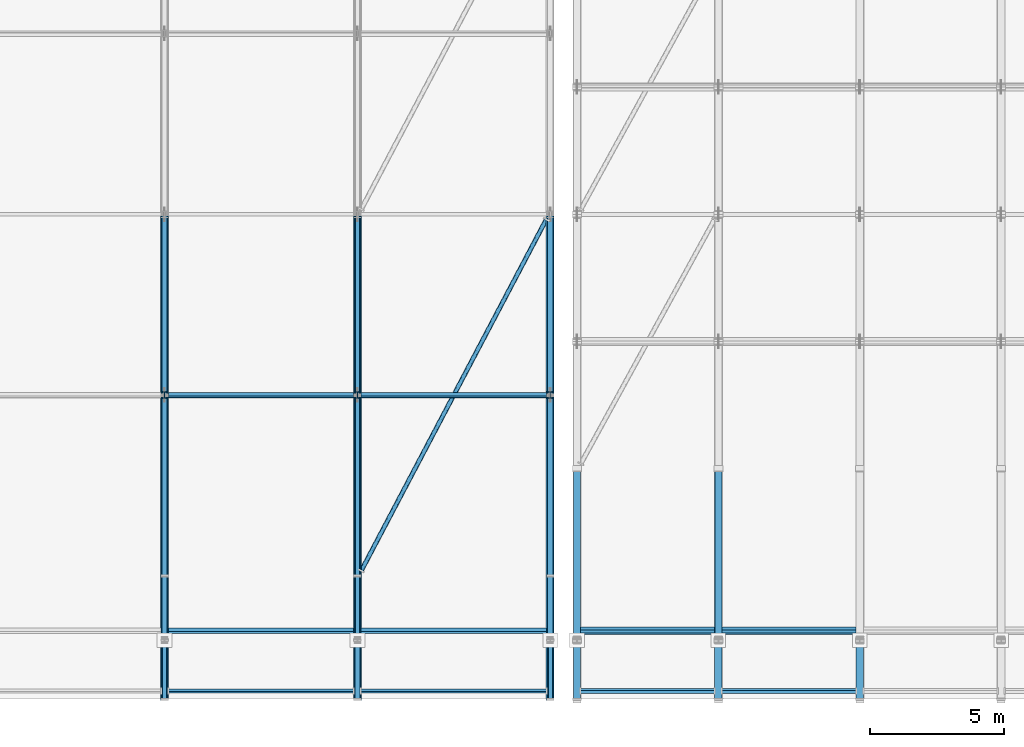
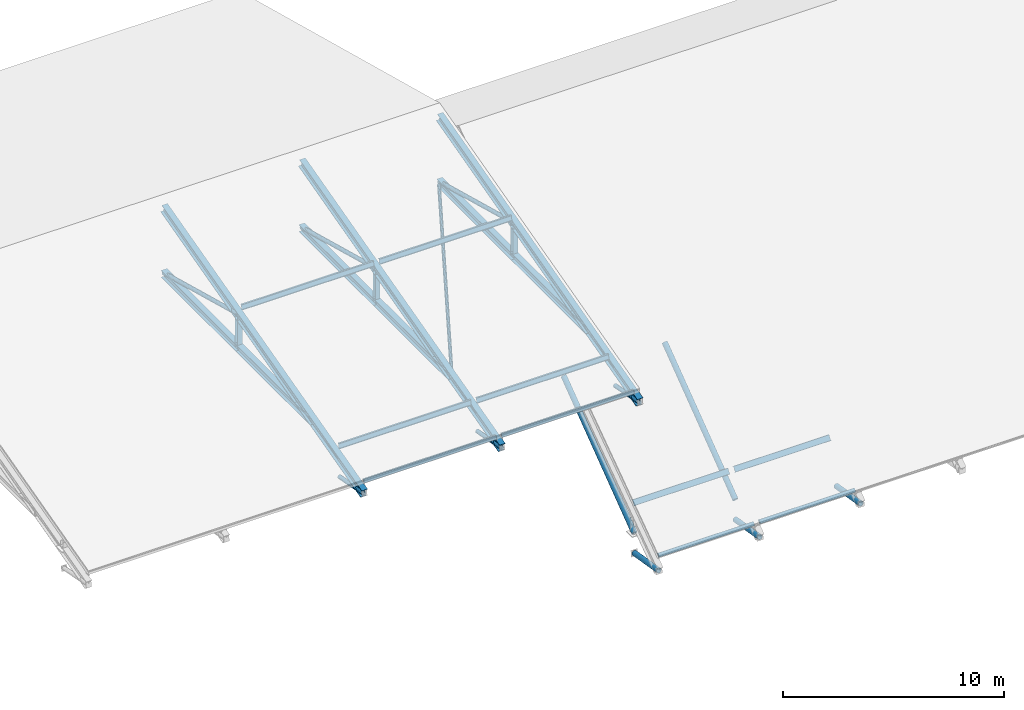
# One storey, part 8 of 57: 37 members, 3 beams.
"""IFC4 building model written with IfcOpenShell, lengths in metres."""

import ifcopenshell
import ifcopenshell.guid

model = None  # the IFC model being written
_history = None  # IfcOwnerHistory: only IFC2X3 demands one
_inside = {}  # id of a spatial element -> (the spatial element, [elements in it])
_under = {}  # id of a project, library or spatial element -> (it, [spatial elements below it])
_declared = {}  # id of a project -> (the project, [libraries it declares])
_typed = {}  # id of a type object -> (the type object, [elements of that type])
_made_of = {}  # id of a material, layer set ... -> (it, [elements and type objects made of it])


def new_model(schema):
    """Start an empty IFC model of exactly this schema.

    Asked for "IFC4X3", IfcOpenShell would pick the latest addendum, in which some entities
    have other attributes; the version numbers below select the first issue.
    IFC2X3 requires an IfcOwnerHistory on every rooted entity: one is made here for all.
    """
    global model, _history
    if schema == "IFC4X3":
        model = ifcopenshell.file(schema_version=(4, 3, 0, 0))
    else:
        model = ifcopenshell.file(schema=schema)
    _inside.clear()
    _under.clear()
    _declared.clear()
    _typed.clear()
    _made_of.clear()
    _history = None
    if model.schema == "IFC2X3":
        org = make("IfcOrganization", Name="unknown")
        user = make(
            "IfcPersonAndOrganization",
            ThePerson=make("IfcPerson", FamilyName="unknown"),
            TheOrganization=org,
        )
        app = make(
            "IfcApplication",
            ApplicationDeveloper=org,
            Version="unknown",
            ApplicationFullName="unknown",
            ApplicationIdentifier="unknown",
        )
        _history = make(
            "IfcOwnerHistory",
            OwningUser=user,
            OwningApplication=app,
            ChangeAction="ADDED",
            CreationDate=0,
        )
    return model


def make(cls, **values):
    """One entity of the class cls with the attributes given. An attribute that is None is left unset."""
    return model.create_entity(
        cls, **{name: value for name, value in values.items() if value is not None}
    )


def rooted(cls, **values):
    """An entity with a GlobalId (a new one), such as an element, a storey or a relation."""
    return make(cls, GlobalId=ifcopenshell.guid.new(), OwnerHistory=_history, **values)


def si_unit(unit_type, name, prefix=None):
    """IfcSIUnit, for example si_unit("LENGTHUNIT", "METRE", prefix="MILLI")."""
    return make("IfcSIUnit", UnitType=unit_type, Prefix=prefix, Name=name)


def assignment(units):
    """IfcUnitAssignment: the units of a project."""
    return None if units is None else make("IfcUnitAssignment", Units=units)


def point(xyz):
    """IfcCartesianPoint."""
    return None if xyz is None else make("IfcCartesianPoint", Coordinates=xyz)


def direction(xyz):
    """IfcDirection."""
    return None if xyz is None else make("IfcDirection", DirectionRatios=xyz)


def frame(location, z_axis=None, x_axis=None):
    """IfcAxis2Placement3D, a coordinate frame: its origin and axes. An axis left out is left unset."""
    return make(
        "IfcAxis2Placement3D",
        Location=point(location),
        Axis=direction(z_axis),
        RefDirection=direction(x_axis),
    )


def frame_2d(location, x_axis=None):
    """IfcAxis2Placement2D, a coordinate frame in the plane: its origin and x axis."""
    return make(
        "IfcAxis2Placement2D", Location=point(location), RefDirection=direction(x_axis)
    )


def origin():
    """The frame at (0, 0, 0) with its axes left unset."""
    return frame((0.0, 0.0, 0.0))


def origin_2d():
    """The frame at (0, 0) in the plane with its x axis left unset."""
    return frame_2d((0.0, 0.0))


def place(relative_to, where):
    """IfcLocalPlacement: puts the frame where relative to a parent placement (None: the world)."""
    return make(
        "IfcLocalPlacement", PlacementRelTo=relative_to, RelativePlacement=where
    )


def context(
    kind, dimensions, precision=None, world=None, true_north=None, identifier=None
):
    """IfcGeometricRepresentationContext, for example the 3D "Model" context."""
    return make(
        "IfcGeometricRepresentationContext",
        ContextIdentifier=identifier,
        ContextType=kind,
        CoordinateSpaceDimension=dimensions,
        Precision=precision,
        WorldCoordinateSystem=world,
        TrueNorth=true_north,
    )


def subcontext(parent, identifier, kind, view, scale=None):
    """IfcGeometricRepresentationSubContext, for example "Body" below "Model"."""
    return make(
        "IfcGeometricRepresentationSubContext",
        ContextIdentifier=identifier,
        ContextType=kind,
        ParentContext=parent,
        TargetScale=scale,
        TargetView=view,
    )


def project(units=None, contexts=None):
    """IfcProject with its units and contexts."""
    return rooted(
        "IfcProject",
        Name="project",
        RepresentationContexts=contexts,
        UnitsInContext=assignment(units),
    )


def spatial(cls, under=None, at=None, **own):
    """A site, building, storey or space (cls), placed at a placement, below another one or the project."""
    s = rooted(cls, ObjectPlacement=at, **own)
    if under is not None:
        _under.setdefault(under.id(), (under, []))[1].append(s)
    return s


def profile(cls, at=None, kind="AREA", **sizes):
    """A parametric profile (cls). Its sizes go by their IFC names, for example OverallWidth=200.0."""
    return make(cls, ProfileType=kind, Position=at, **sizes)


def hollow_rectangle(**sizes):
    """IfcRectangleHollowProfileDef."""
    return profile("IfcRectangleHollowProfileDef", **sizes)


def hollow_circle(**sizes):
    """IfcCircleHollowProfileDef."""
    return profile("IfcCircleHollowProfileDef", **sizes)


def i_section(**sizes):
    """IfcIShapeProfileDef."""
    return profile("IfcIShapeProfileDef", **sizes)


def extrude(swept, where, along, depth):
    """IfcExtrudedAreaSolid: the profile swept, set in the frame where, extruded along a direction by depth."""
    return make(
        "IfcExtrudedAreaSolid",
        SweptArea=swept,
        Position=where,
        ExtrudedDirection=direction(along),
        Depth=depth,
    )


def shape(context_of_items, identifier, shape_type, items):
    """IfcShapeRepresentation: the items that make up one representation, for example the "Body"."""
    return make(
        "IfcShapeRepresentation",
        ContextOfItems=context_of_items,
        RepresentationIdentifier=identifier,
        RepresentationType=shape_type,
        Items=items,
    )


def material(Name=None, Category=None):
    """IfcMaterial."""
    return make("IfcMaterial", Name=Name, Category=Category)


def material_profile(
    of_material, cross_section, Name=None, Category=None, Priority=None
):
    """IfcMaterialProfile: a cross section and its material."""
    return make(
        "IfcMaterialProfile",
        Name=Name,
        Material=of_material,
        Profile=cross_section,
        Priority=Priority,
        Category=Category,
    )


def profile_set(profiles, Name=None, composite=None):
    """IfcMaterialProfileSet."""
    return make(
        "IfcMaterialProfileSet",
        Name=Name,
        MaterialProfiles=profiles,
        CompositeProfile=composite,
    )


def made_of(thing, what):
    """Note that an element or type object is made of a material, layer set ...; save() writes the relation."""
    if what is not None:
        _made_of.setdefault(what.id(), (what, []))[1].append(thing)
    return thing


def type_object(cls, material=None, **own):
    """A type object (cls), such as IfcWallType, which elements share."""
    return made_of(rooted(cls, **own), material)


def element(
    cls,
    number,
    at=None,
    inside=None,
    cuts=None,
    type_object=None,
    material=None,
    context=None,
    identifier="Body",
    shape_type=None,
    held_by="IfcProductDefinitionShape",
    body=None,
    shapes=None,
    **own,
):
    """One element of the class cls, such as IfcWall. Its Tag is "e" and its number.

    at: its placement. inside: the storey or other place that contains it. cuts: it is an
    opening in that element (IfcRelVoidsElement). A single representation is given by context,
    identifier, shape_type and body (its items); several are given by shapes. held_by: the class
    of the entity that holds the representations. save() writes the other relations.
    """
    e = rooted(cls, Tag="e%d" % number, ObjectPlacement=at, **own)
    if body is not None:
        shapes = [shape(context, identifier, shape_type, body)]
    if shapes is not None:
        e.Representation = make(held_by, Representations=shapes)
    if inside is not None:
        _inside.setdefault(inside.id(), (inside, []))[1].append(e)
    if cuts is not None:
        rooted(
            "IfcRelVoidsElement", RelatingBuildingElement=cuts, RelatedOpeningElement=e
        )
    if type_object is not None:
        _typed.setdefault(type_object.id(), (type_object, []))[1].append(e)
    return made_of(e, material)


def aggregate(whole, parts):
    """IfcRelAggregates: a whole, such as a stair, and the parts it consists of."""
    return rooted("IfcRelAggregates", RelatingObject=whole, RelatedObjects=parts)


def save(model, path):
    """Write the relations noted so far, then the file.

    IfcRelAggregates (storeys below a building ...), IfcRelContainedInSpatialStructure (elements
    in a storey), IfcRelDefinesByType, IfcRelAssociatesMaterial and IfcRelDeclares: one each for
    every whole, place, type object, material and project.
    """
    for whole, parts in _under.values():
        aggregate(whole, parts)
    for where, things in _inside.values():
        rooted(
            "IfcRelContainedInSpatialStructure",
            RelatedElements=things,
            RelatingStructure=where,
        )
    for kind, things in _typed.values():
        rooted("IfcRelDefinesByType", RelatedObjects=things, RelatingType=kind)
    for what, things in _made_of.values():
        rooted("IfcRelAssociatesMaterial", RelatedObjects=things, RelatingMaterial=what)
    for by, libraries in _declared.values():
        rooted("IfcRelDeclares", RelatingContext=by, RelatedDefinitions=libraries)
    model.write(path)


model = new_model("IFC4")

# Units and contexts
model_context = context("Model", 3, precision=1e-05, world=origin(), true_north=direction((0.0, 1.0)))
body_context = subcontext(model_context, "Body", "Model", "MODEL_VIEW")
ifc_project = project(units=[si_unit("LENGTHUNIT", "METRE"), si_unit("AREAUNIT", "SQUARE_METRE"), si_unit("VOLUMEUNIT", "CUBIC_METRE"), si_unit("PLANEANGLEUNIT", "RADIAN"), si_unit("MASSUNIT", "GRAM", prefix="KILO")], contexts=[model_context])

# Site, building, storey
site_placement = place(None, origin())
site = spatial("IfcSite", under=ifc_project, at=site_placement, CompositionType="ELEMENT")
building_placement = place(site_placement, origin())
building = spatial("IfcBuilding", under=site, at=building_placement, Name="Kelarvand Opera House", CompositionType="ELEMENT")
storey_placement = place(building_placement, frame((0.0, 0.0, 33.60009765625)))
storey = spatial("IfcBuildingStorey", under=building, at=storey_placement, Name="Roof", CompositionType="ELEMENT", Elevation=33.60009765625)

# Members
ifc_material = material(Name="Steel S355", Category="steel")
ifc_material_profile_1 = material_profile(ifc_material, hollow_circle(Radius=0.084228515625, WallThickness=0.008056640625, at=origin_2d()), Name="CHS 168.3x8.0", Category="steel")
ifc_profile_set_1 = profile_set([ifc_material_profile_1], Name="Steel S355")
member_type_1 = type_object("IfcMemberType", Name="Structural Brace CHS 168.3x8.0 BR-CHS168", PredefinedType="BRACE", material=ifc_profile_set_1)
member_1_placement = place(storey_placement, frame((80.949951171875, 49.199951171875, 0.52001953125), z_axis=(0.466029798714, 0.884769024498, 0.0), x_axis=(-0.884769024498, 0.466029798714, 0.0)))
element("IfcMember", 1, at=member_1_placement, inside=storey, type_object=member_type_1, Name="V2 Roof Wind Brace 4.1", PredefinedType="BRACE", context=body_context, shape_type="SweptSolid", body=[
    extrude(hollow_circle(Radius=0.084228515625, WallThickness=0.008056640625, at=origin_2d()), origin(), (0.0, 0.0, 1.0), 14.80615234375),
])
ifc_material_profile_2 = material_profile(ifc_material, hollow_circle(Radius=0.109619140625, WallThickness=0.010009765625, at=origin_2d()), Name="CHS 219.1x10.0", Category="steel")
ifc_profile_set_2 = profile_set([ifc_material_profile_2], Name="Steel S355")
member_type_2 = type_object("IfcMemberType", Name="Structural Brace CHS 219.1x10.0 BR-CHS219", PredefinedType="BRACE", material=ifc_profile_set_2)
member_2_placement = place(storey_placement, frame((73.60009765625, 46.60009765625, -1.10009765625), z_axis=(0.0, -0.981866297583, 0.189574717909), x_axis=(1.0, 0.0, 0.0)))
element("IfcMember", 2, at=member_2_placement, inside=storey, type_object=member_type_2, Name="V2 Roof Truss 3 Eave Knee Brace S", PredefinedType="BRACE", context=body_context, shape_type="SweptSolid", body=[
    extrude(hollow_circle(Radius=0.109619140625, WallThickness=0.010009765625, at=origin_2d()), origin(), (0.0, 0.0, 1.0), 2.24072265625),
])
member_3_placement = place(storey_placement, frame((73.60009765625, 46.60009765625, 0.0), z_axis=(0.0, 0.977319710639, 0.21176917433), x_axis=(-1.0, 0.0, 0.0)))
element("IfcMember", 3, at=member_3_placement, inside=storey, type_object=member_type_2, Name="V2 Roof Truss 3 Support Tie S", PredefinedType="BRACE", context=body_context, shape_type="SweptSolid", body=[
    extrude(hollow_circle(Radius=0.109619140625, WallThickness=0.010009765625, at=origin_2d()), origin(), (0.0, 0.0, 1.0), 2.45556640625),
])
for number, where, z_axis, x_axis, name in (
    (4, (73.60009765625, 49.0, 0.52001953125), (0.0, 0.965709449252, 0.259625229177), (-1.0, 0.0, 0.0), "V2 Roof Truss 3 Web Diagonal 1"),
    (5, (73.60009765625, 55.75, 2.334716796875), (0.0, 0.965709449252, -0.259625229177), (-1.0, 0.0, 0.0), "V2 Roof Truss 3 Web Diagonal 2"),
):
    element("IfcMember", number, at=place(storey_placement, frame(where, z_axis=z_axis, x_axis=x_axis)), inside=storey, type_object=member_type_2, Name=name, PredefinedType="BRACE", context=body_context, shape_type="SweptSolid", body=[
        extrude(hollow_circle(Radius=0.109619140625, WallThickness=0.010009765625, at=origin_2d()), origin(), (0.0, 0.0, 1.0), 6.98974609375),
    ])
member_4_placement = place(storey_placement, frame((80.800048828125, 46.60009765625, -1.10009765625), z_axis=(0.0, -0.981866297583, 0.189574717909), x_axis=(1.0, 0.0, 0.0)))
element("IfcMember", 6, at=member_4_placement, inside=storey, type_object=member_type_2, Name="V2 Roof Truss 4 Eave Knee Brace S", PredefinedType="BRACE", context=body_context, shape_type="SweptSolid", body=[
    extrude(hollow_circle(Radius=0.109619140625, WallThickness=0.010009765625, at=origin_2d()), origin(), (0.0, 0.0, 1.0), 2.24072265625),
])
member_5_placement = place(storey_placement, frame((80.800048828125, 46.60009765625, 0.0), z_axis=(0.0, 0.977319710639, 0.21176917433), x_axis=(-1.0, 0.0, 0.0)))
element("IfcMember", 7, at=member_5_placement, inside=storey, type_object=member_type_2, Name="V2 Roof Truss 4 Support Tie S", PredefinedType="BRACE", context=body_context, shape_type="SweptSolid", body=[
    extrude(hollow_circle(Radius=0.109619140625, WallThickness=0.010009765625, at=origin_2d()), origin(), (0.0, 0.0, 1.0), 2.45556640625),
])
for number, where, z_axis, x_axis, name in (
    (8, (80.800048828125, 49.0, 0.52001953125), (0.0, 0.965709449252, 0.259625229177), (-1.0, 0.0, 0.0), "V2 Roof Truss 4 Web Diagonal 1"),
    (9, (80.800048828125, 55.75, 2.334716796875), (0.0, 0.965709449252, -0.259625229177), (-1.0, 0.0, 0.0), "V2 Roof Truss 4 Web Diagonal 2"),
):
    element("IfcMember", number, at=place(storey_placement, frame(where, z_axis=z_axis, x_axis=x_axis)), inside=storey, type_object=member_type_2, Name=name, PredefinedType="BRACE", context=body_context, shape_type="SweptSolid", body=[
        extrude(hollow_circle(Radius=0.109619140625, WallThickness=0.010009765625, at=origin_2d()), origin(), (0.0, 0.0, 1.0), 6.98974609375),
    ])
member_6_placement = place(storey_placement, frame((88.0, 46.60009765625, -1.10009765625), z_axis=(0.0, -0.981866297583, 0.189574717909), x_axis=(1.0, 0.0, 0.0)))
element("IfcMember", 10, at=member_6_placement, inside=storey, type_object=member_type_2, Name="V2 Roof Truss 5 Eave Knee Brace S", PredefinedType="BRACE", context=body_context, shape_type="SweptSolid", body=[
    extrude(hollow_circle(Radius=0.109619140625, WallThickness=0.010009765625, at=origin_2d()), origin(), (0.0, 0.0, 1.0), 2.24072265625),
])
member_7_placement = place(storey_placement, frame((88.0, 46.60009765625, 0.0), z_axis=(0.0, 0.977319710639, 0.21176917433), x_axis=(-1.0, 0.0, 0.0)))
element("IfcMember", 11, at=member_7_placement, inside=storey, type_object=member_type_2, Name="V2 Roof Truss 5 Support Tie S", PredefinedType="BRACE", context=body_context, shape_type="SweptSolid", body=[
    extrude(hollow_circle(Radius=0.109619140625, WallThickness=0.010009765625, at=origin_2d()), origin(), (0.0, 0.0, 1.0), 2.45556640625),
])
for number, where, z_axis, x_axis, name in (
    (12, (88.0, 49.0, 0.52001953125), (0.0, 0.965709449252, 0.259625229177), (-1.0, 0.0, 0.0), "V2 Roof Truss 5 Web Diagonal 1"),
    (13, (88.0, 55.75, 2.334716796875), (0.0, 0.965709449252, -0.259625229177), (-1.0, 0.0, 0.0), "V2 Roof Truss 5 Web Diagonal 2"),
):
    element("IfcMember", number, at=place(storey_placement, frame(where, z_axis=z_axis, x_axis=x_axis)), inside=storey, type_object=member_type_2, Name=name, PredefinedType="BRACE", context=body_context, shape_type="SweptSolid", body=[
        extrude(hollow_circle(Radius=0.109619140625, WallThickness=0.010009765625, at=origin_2d()), origin(), (0.0, 0.0, 1.0), 6.98974609375),
    ])
ifc_material_profile_3 = material_profile(ifc_material, hollow_circle(Radius=0.136474609375, WallThickness=0.012451171875, at=origin_2d()), Name="CHS 273.0x12.5", Category="steel")
ifc_profile_set_3 = profile_set([ifc_material_profile_3], Name="Steel S355")
member_type_3 = type_object("IfcMemberType", Name="Structural Brace CHS 273.0x12.5 BR-CHS273", PredefinedType="BRACE", material=ifc_profile_set_3)
member_8_placement = place(storey_placement, frame((89.0, 46.60009765625, -10.7001953125), z_axis=(0.0, -0.986305042144, 0.164931391313), x_axis=(1.0, 0.0, 0.0)))
element("IfcMember", 14, at=member_8_placement, inside=storey, type_object=member_type_3, Name="V1 Roof Truss 1 Eave Knee Brace S", PredefinedType="BRACE", context=body_context, shape_type="SweptSolid", body=[
    extrude(hollow_circle(Radius=0.136474609375, WallThickness=0.012451171875, at=origin_2d()), origin(), (0.0, 0.0, 1.0), 2.230712890625),
])
member_9_placement = place(storey_placement, frame((89.0, 46.60009765625, -9.60009765625), z_axis=(0.0, 0.799992675677, 0.60000976564), x_axis=(-1.0, 0.0, 0.0)))
element("IfcMember", 15, at=member_9_placement, inside=storey, type_object=member_type_3, Name="V1 Roof Truss 1 Support Tie S", PredefinedType="BRACE", context=body_context, shape_type="SweptSolid", body=[
    extrude(hollow_circle(Radius=0.136474609375, WallThickness=0.012451171875, at=origin_2d()), origin(), (0.0, 0.0, 1.0), 8.0),
])
member_10_placement = place(storey_placement, frame((94.280029296875, 46.60009765625, -10.7001953125), z_axis=(0.0, -0.986305042144, 0.164931391313), x_axis=(1.0, 0.0, 0.0)))
element("IfcMember", 16, at=member_10_placement, inside=storey, type_object=member_type_3, Name="V1 Roof Truss 2 Eave Knee Brace S", PredefinedType="BRACE", context=body_context, shape_type="SweptSolid", body=[
    extrude(hollow_circle(Radius=0.136474609375, WallThickness=0.012451171875, at=origin_2d()), origin(), (0.0, 0.0, 1.0), 2.230712890625),
])
member_11_placement = place(storey_placement, frame((94.280029296875, 46.60009765625, -9.60009765625), z_axis=(0.0, 0.799992675677, 0.60000976564), x_axis=(-1.0, 0.0, 0.0)))
element("IfcMember", 17, at=member_11_placement, inside=storey, type_object=member_type_3, Name="V1 Roof Truss 2 Support Tie S", PredefinedType="BRACE", context=body_context, shape_type="SweptSolid", body=[
    extrude(hollow_circle(Radius=0.136474609375, WallThickness=0.012451171875, at=origin_2d()), origin(), (0.0, 0.0, 1.0), 8.0),
])
member_12_placement = place(storey_placement, frame((99.56005859375, 46.60009765625, -10.7001953125), z_axis=(0.0, -0.986305042144, 0.164931391313), x_axis=(1.0, 0.0, 0.0)))
element("IfcMember", 18, at=member_12_placement, inside=storey, type_object=member_type_3, Name="V1 Roof Truss 3 Eave Knee Brace S", PredefinedType="BRACE", context=body_context, shape_type="SweptSolid", body=[
    extrude(hollow_circle(Radius=0.136474609375, WallThickness=0.012451171875, at=origin_2d()), origin(), (0.0, 0.0, 1.0), 2.230712890625),
])
ifc_material_profile_4 = material_profile(ifc_material, i_section(OverallWidth=0.300048828125, OverallDepth=0.39990234375, WebThickness=0.013427734375, FlangeThickness=0.02392578125, at=origin_2d()), Name="HEB 400", Category="steel")
ifc_profile_set_4 = profile_set([ifc_material_profile_4], Name="Steel S355")
member_type_4 = type_object("IfcMemberType", Name="Structural Chord HEB 400 CH-HEB400", PredefinedType="CHORD", material=ifc_profile_set_4)
for number, where, z_axis, x_axis, name in (
    (19, (73.60009765625, 49.0, 0.52001953125), (0.0, 1.0, 0.0), (-1.0, 0.0, 0.0), "V2 Roof Truss 3 Bottom Chord 1"),
    (20, (73.60009765625, 55.75, 0.52001953125), (0.0, 1.0, 0.0), (-1.0, 0.0, 0.0), "V2 Roof Truss 3 Bottom Chord 2"),
    (21, (80.800048828125, 49.0, 0.52001953125), (0.0, 1.0, 0.0), (-1.0, 0.0, 0.0), "V2 Roof Truss 4 Bottom Chord 1"),
    (22, (80.800048828125, 55.75, 0.52001953125), (0.0, 1.0, 0.0), (-1.0, 0.0, 0.0), "V2 Roof Truss 4 Bottom Chord 2"),
    (23, (88.0, 49.0, 0.52001953125), (0.0, 1.0, 0.0), (-1.0, 0.0, 0.0), "V2 Roof Truss 5 Bottom Chord 1"),
    (24, (88.0, 55.75, 0.52001953125), (0.0, 1.0, 0.0), (-1.0, 0.0, 0.0), "V2 Roof Truss 5 Bottom Chord 2"),
):
    element("IfcMember", number, at=place(storey_placement, frame(where, z_axis=z_axis, x_axis=x_axis)), inside=storey, type_object=member_type_4, Name=name, PredefinedType="CHORD", context=body_context, shape_type="SweptSolid", body=[
        extrude(i_section(OverallWidth=0.300048828125, OverallDepth=0.39990234375, WebThickness=0.013427734375, FlangeThickness=0.02392578125, at=origin_2d()), origin(), (0.0, 0.0, 1.0), 6.75),
    ])
ifc_material_profile_5 = material_profile(ifc_material, i_section(OverallWidth=0.239990234375, OverallDepth=0.239990234375, WebThickness=0.010009765625, FlangeThickness=0.01708984375, at=origin_2d()), Name="HEB 240", Category="steel")
ifc_profile_set_5 = profile_set([ifc_material_profile_5], Name="Steel S355")
member_type_5 = type_object("IfcMemberType", Name="Structural Post HEB 240 PS-HEB240", PredefinedType="POST", material=ifc_profile_set_5)
for number, where, z_axis, x_axis, name in (
    (25, (73.60009765625, 55.75, 0.52001953125), (0.0, 0.0, 1.0), (1.0, 0.0, 0.0), "V2 Roof Truss 3 Post 1"),
    (26, (80.800048828125, 55.75, 0.52001953125), (0.0, 0.0, 1.0), (1.0, 0.0, 0.0), "V2 Roof Truss 4 Post 1"),
    (27, (88.0, 55.75, 0.52001953125), (0.0, 0.0, 1.0), (1.0, 0.0, 0.0), "V2 Roof Truss 5 Post 1"),
):
    element("IfcMember", number, at=place(storey_placement, frame(where, z_axis=z_axis, x_axis=x_axis)), inside=storey, type_object=member_type_5, Name=name, PredefinedType="POST", context=body_context, shape_type="SweptSolid", body=[
        extrude(i_section(OverallWidth=0.239990234375, OverallDepth=0.239990234375, WebThickness=0.010009765625, FlangeThickness=0.01708984375, at=origin_2d()), origin(), (0.0, 0.0, 1.0), 1.814697265625),
    ])
ifc_material_profile_6 = material_profile(ifc_material, i_section(OverallWidth=0.135009765625, OverallDepth=0.27001953125, WebThickness=0.006591796875, FlangeThickness=0.01025390625, at=origin_2d()), Name="IPE 270", Category="steel")
ifc_profile_set_6 = profile_set([ifc_material_profile_6], Name="Steel S355")
member_type_6 = type_object("IfcMemberType", Name="Structural Purlin IPE 270 PR-IPE270", PredefinedType="PURLIN", material=ifc_profile_set_6)
for number, where, z_axis, x_axis, name in (
    (28, (73.739990234375, 46.949951171875, 0.339111328125), (1.0, 0.0, 0.0), (0.0, 0.966600102017, -0.256289373133), "V2 Roof Purlin 3.2"),
    (29, (73.739990234375, 55.75, 2.6728515625), (1.0, 0.0, 0.0), (0.0, 0.966600102017, -0.256289373133), "V2 Roof Purlin 3.3"),
):
    element("IfcMember", number, at=place(storey_placement, frame(where, z_axis=z_axis, x_axis=x_axis)), inside=storey, type_object=member_type_6, Name=name, PredefinedType="PURLIN", context=body_context, shape_type="SweptSolid", body=[
        extrude(i_section(OverallWidth=0.135009765625, OverallDepth=0.27001953125, WebThickness=0.006591796875, FlangeThickness=0.01025390625, at=origin_2d()), origin(), (0.0, 0.0, 1.0), 6.919921875),
    ])
for number, where, z_axis, x_axis, name in (
    (30, (80.93994140625, 46.949951171875, 0.339111328125), (1.0, 0.0, 0.0), (0.0, 0.966600102017, -0.256289373133), "V2 Roof Purlin 4.2"),
    (31, (80.93994140625, 55.75, 2.6728515625), (1.0, 0.0, 0.0), (0.0, 0.966600102017, -0.256289373133), "V2 Roof Purlin 4.3"),
):
    element("IfcMember", number, at=place(storey_placement, frame(where, z_axis=z_axis, x_axis=x_axis)), inside=storey, type_object=member_type_6, Name=name, PredefinedType="PURLIN", context=body_context, shape_type="SweptSolid", body=[
        extrude(i_section(OverallWidth=0.135009765625, OverallDepth=0.27001953125, WebThickness=0.006591796875, FlangeThickness=0.01025390625, at=origin_2d()), origin(), (0.0, 0.0, 1.0), 6.920166015625),
    ])
ifc_material_profile_7 = material_profile(ifc_material, i_section(OverallWidth=0.14990234375, OverallDepth=0.300048828125, WebThickness=0.007080078125, FlangeThickness=0.0107421875, at=origin_2d()), Name="IPE 300", Category="steel")
ifc_profile_set_7 = profile_set([ifc_material_profile_7], Name="Steel S355")
member_type_7 = type_object("IfcMemberType", Name="Structural Purlin IPE 300 PR-IPE300", PredefinedType="PURLIN", material=ifc_profile_set_7)
for number, where, z_axis, x_axis, name in (
    (32, (89.139892578125, 46.949951171875, -8.18603515625), (1.0, 0.0, 0.0), (0.0, 0.816440043737, -0.577430216549), "V1 Roof Purlin 1.2"),
    (33, (94.419921875, 46.949951171875, -8.18603515625), (1.0, 0.0, 0.0), (0.0, 0.816440043737, -0.577430216549), "V1 Roof Purlin 2.2"),
):
    element("IfcMember", number, at=place(storey_placement, frame(where, z_axis=z_axis, x_axis=x_axis)), inside=storey, type_object=member_type_7, Name=name, PredefinedType="PURLIN", context=body_context, shape_type="SweptSolid", body=[
        extrude(i_section(OverallWidth=0.14990234375, OverallDepth=0.300048828125, WebThickness=0.007080078125, FlangeThickness=0.0107421875, at=origin_2d()), origin(), (0.0, 0.0, 1.0), 5.0),
    ])
ifc_material_profile_8 = material_profile(ifc_material, hollow_rectangle(XDim=0.10009765625, YDim=0.199951171875, WallThickness=0.008056640625, at=origin_2d()), Name="RHS 200x100x8.0", Category="steel")
ifc_profile_set_8 = profile_set([ifc_material_profile_8], Name="Steel S355")
member_type_8 = type_object("IfcMemberType", Name="Structural Purlin RHS 200x100x8.0 PR-RHS200E", PredefinedType="PURLIN", material=ifc_profile_set_8)
for number, where, z_axis, x_axis, name in (
    (34, (89.139892578125, 44.699951171875, -9.721923828125), (1.0, 0.0, 0.0), (0.0, 0.816440043737, -0.577430216549), "V1 Roof Purlin 1.1"),
    (35, (94.419921875, 44.699951171875, -9.721923828125), (1.0, 0.0, 0.0), (0.0, 0.816440043737, -0.577430216549), "V1 Roof Purlin 2.1"),
):
    element("IfcMember", number, at=place(storey_placement, frame(where, z_axis=z_axis, x_axis=x_axis)), inside=storey, type_object=member_type_8, Name=name, PredefinedType="PURLIN", context=body_context, shape_type="SweptSolid", body=[
        extrude(hollow_rectangle(XDim=0.10009765625, YDim=0.199951171875, WallThickness=0.008056640625, at=origin_2d()), origin(), (0.0, 0.0, 1.0), 5.0),
    ])
member_13_placement = place(storey_placement, frame((73.739990234375, 44.699951171875, -0.21923828125), z_axis=(1.0, 0.0, 0.0), x_axis=(0.0, 0.966600102017, -0.256289373133)))
element("IfcMember", 36, at=member_13_placement, inside=storey, type_object=member_type_8, Name="V2 Roof Purlin 3.1", PredefinedType="PURLIN", context=body_context, shape_type="SweptSolid", body=[
    extrude(hollow_rectangle(XDim=0.10009765625, YDim=0.199951171875, WallThickness=0.008056640625, at=origin_2d()), origin(), (0.0, 0.0, 1.0), 6.919921875),
])
member_14_placement = place(storey_placement, frame((80.93994140625, 44.699951171875, -0.21923828125), z_axis=(1.0, 0.0, 0.0), x_axis=(0.0, 0.966600102017, -0.256289373133)))
element("IfcMember", 37, at=member_14_placement, inside=storey, type_object=member_type_8, Name="V2 Roof Purlin 4.1", PredefinedType="PURLIN", context=body_context, shape_type="SweptSolid", body=[
    extrude(hollow_rectangle(XDim=0.10009765625, YDim=0.199951171875, WallThickness=0.008056640625, at=origin_2d()), origin(), (0.0, 0.0, 1.0), 6.920166015625),
])

# Beams
ifc_material_profile_9 = material_profile(ifc_material, i_section(OverallWidth=0.300048828125, OverallDepth=0.449951171875, WebThickness=0.013916015625, FlangeThickness=0.02587890625, at=origin_2d()), Name="HEB 450", Category="steel")
ifc_profile_set_9 = profile_set([ifc_material_profile_9], Name="Steel S355")
beam_type = type_object("IfcBeamType", Name="Structural Roof Truss HEB 450 RT-HEB450", PredefinedType="USERDEFINED", material=ifc_profile_set_9)
for number, where, z_axis, x_axis, name in (
    (38, (73.60009765625, 44.39990234375, -0.67529296875), (0.0, 0.966591492403, 0.256321842249), (-1.0, 0.0, 0.0), "V2 Roof Truss 3 Top Chord Rafter 1"),
    (39, (80.800048828125, 44.39990234375, -0.67529296875), (0.0, 0.966591492403, 0.256321842249), (-1.0, 0.0, 0.0), "V2 Roof Truss 4 Top Chord Rafter 1"),
    (40, (88.0, 44.39990234375, -0.67529296875), (0.0, 0.966591492403, 0.256321842249), (-1.0, 0.0, 0.0), "V2 Roof Truss 5 Top Chord Rafter 1"),
):
    element("IfcBeam", number, at=place(storey_placement, frame(where, z_axis=z_axis, x_axis=x_axis)), inside=storey, type_object=beam_type, Name=name, ObjectType="ROOF TRUSS", PredefinedType="USERDEFINED", context=body_context, shape_type="SweptSolid", body=[
        extrude(i_section(OverallWidth=0.300048828125, OverallDepth=0.449951171875, WebThickness=0.013916015625, FlangeThickness=0.02587890625, at=origin_2d()), origin(), (0.0, 0.0, 1.0), 18.7255859375),
    ])

save(model, "model.ifc")
